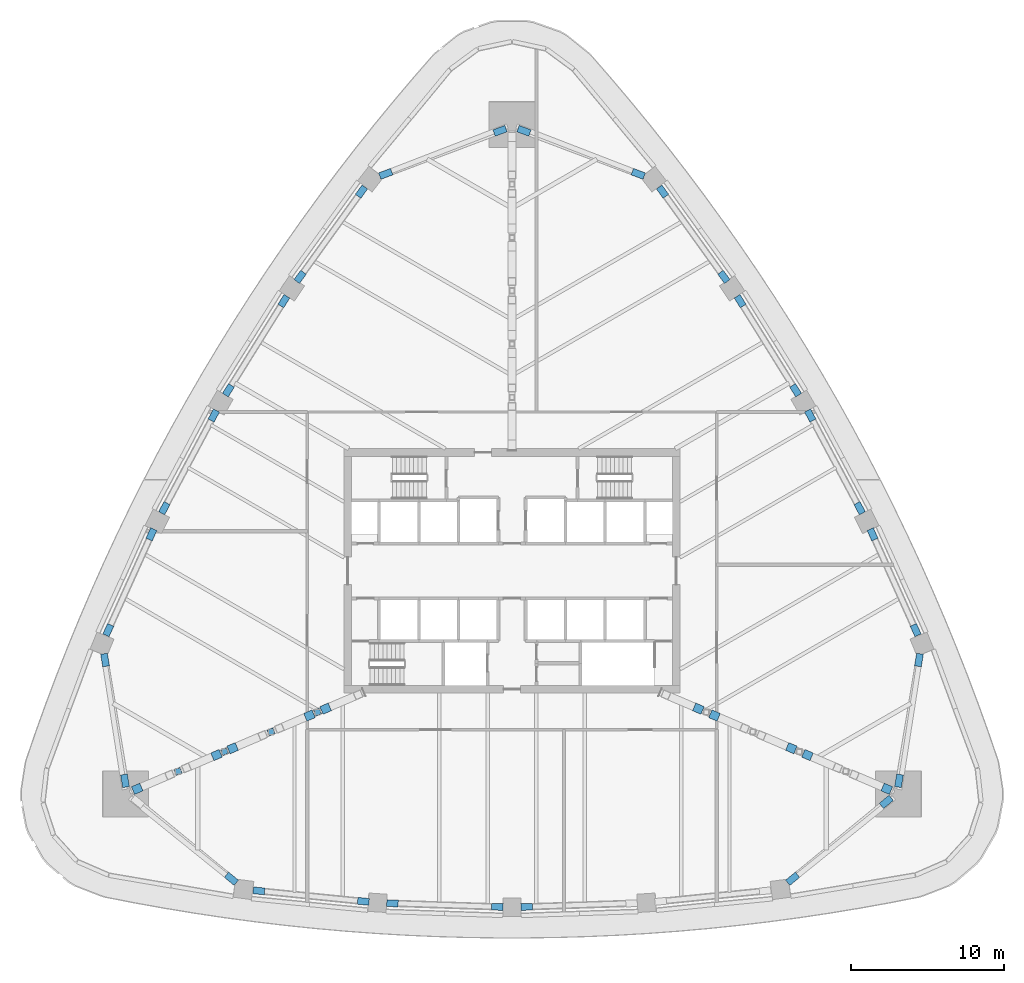
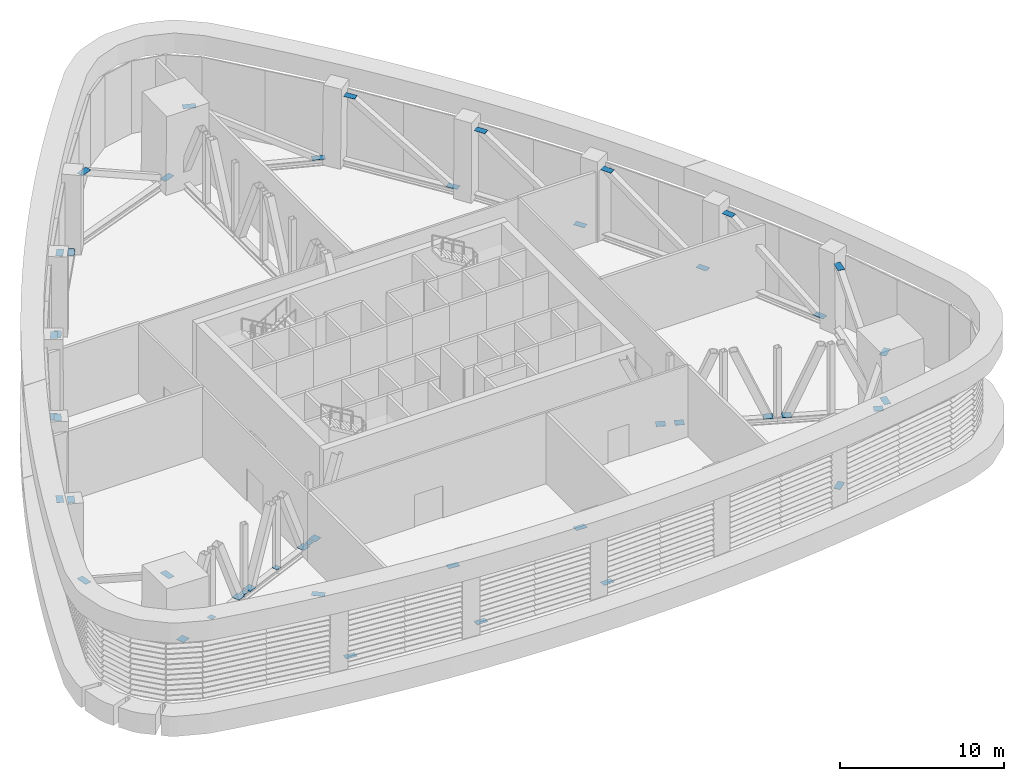
# One storey, part 8 of 18: 46 discrete accessories.
"""IFC4 building model written with IfcOpenShell, lengths in metres."""

from ifc_helpers import new_model, si_unit, direction, frame, origin, origin_2d, place, context, subcontext, project, spatial, rectangle, extrude, material, type_object, element, save


model = new_model("IFC4")

# Units and contexts
model_context = context("Model", 3, precision=1e-05, world=origin(), true_north=direction((0.0, 1.0)))
body_context = subcontext(model_context, "Body", "Model", "MODEL_VIEW")
ifc_project = project(units=[si_unit("LENGTHUNIT", "METRE"), si_unit("AREAUNIT", "SQUARE_METRE"), si_unit("VOLUMEUNIT", "CUBIC_METRE"), si_unit("PLANEANGLEUNIT", "RADIAN"), si_unit("MASSUNIT", "GRAM", prefix="KILO")], contexts=[model_context])

# Site, building, storey
site_placement = place(None, origin())
site = spatial("IfcSite", under=ifc_project, at=site_placement, CompositionType="ELEMENT")
building_placement = place(site_placement, origin())
building = spatial("IfcBuilding", under=site, at=building_placement, Name="Sierra Prisma Convention Tower", CompositionType="ELEMENT")
storey_placement = place(building_placement, frame((0.0, 0.0, 112.60009765625)))
storey = spatial("IfcBuildingStorey", under=building, at=storey_placement, Name="L24", CompositionType="ELEMENT", Elevation=112.60009765625)

# Discrete accessories
ifc_material = material(Name="Steel ASTM A992 Gr 50", Category="steel")
discrete_accessory_type = type_object("IfcDiscreteAccessoryType", Name="Truss end plate", PredefinedType="BRACKET", material=ifc_material)
discrete_accessory_1_placement = place(storey_placement, frame((-18.37646484375, -20.16162109375, 5.21875), z_axis=(0.0, 0.0, 1.0), x_axis=(0.772982771998, -0.634427012504, 0.0)))
element("IfcDiscreteAccessory", 1, at=discrete_accessory_1_placement, inside=storey, type_object=discrete_accessory_type, Name="Belt truss L24-01 diagonal 1 head end plate", PredefinedType="BRACKET", context=body_context, shape_type="SweptSolid", body=[
    extrude(rectangle(XDim=0.826904296875, YDim=0.446044921875, at=origin_2d()), origin(), (0.0, 0.0, 1.0), 0.014892578125),
])
for number, where, z_axis, x_axis, name in (
    (2, (-16.575439453125, -20.95458984375, 0.4580078125), (0.0, 0.0, 1.0), (0.994982672062, -0.100047400251, 0.0), "Belt truss L24-02 diagonal 1 foot end plate"),
    (3, (-9.734375, -21.642333984375, 5.21875), (0.0, 0.0, 1.0), (0.994982672062, -0.100047400251, 0.0), "Belt truss L24-02 diagonal 1 head end plate"),
    (4, (-7.827392578125, -21.77001953125, 0.4580078125), (0.0, 0.0, 1.0), (0.999442492743, -0.033387178663, 0.0), "Belt truss L24-03 diagonal 1 foot end plate"),
    (5, (-0.95556640625, -21.99951171875, 5.21875), (0.0, 0.0, 1.0), (0.999442492743, -0.033387178663, 0.0), "Belt truss L24-03 diagonal 1 head end plate"),
    (6, (0.95556640625, -21.99951171875, 0.4580078125), (0.0, 0.0, 1.0), (0.999442492743, 0.033387178663, 0.0), "Belt truss L24-04 diagonal 1 foot end plate"),
):
    element("IfcDiscreteAccessory", number, at=place(storey_placement, frame(where, z_axis=z_axis, x_axis=x_axis)), inside=storey, type_object=discrete_accessory_type, Name=name, PredefinedType="BRACKET", context=body_context, shape_type="SweptSolid", body=[
        extrude(rectangle(XDim=0.751953125, YDim=0.446044921875, at=origin_2d()), origin(), (0.0, 0.0, 1.0), 0.014892578125),
    ])
for number, where, z_axis, x_axis, name in (
    (7, (18.37646484375, -20.16162109375, 0.4580078125), (0.0, 0.0, 1.0), (0.772982771998, 0.634427012504, 0.0), "Belt truss L24-06 diagonal 1 foot end plate"),
    (8, (24.51123046875, -15.126220703125, 5.21875), (0.0, 0.0, 1.0), (0.772982771998, 0.634427012504, 0.0), "Belt truss L24-06 diagonal 1 head end plate"),
):
    element("IfcDiscreteAccessory", number, at=place(storey_placement, frame(where, z_axis=z_axis, x_axis=x_axis)), inside=storey, type_object=discrete_accessory_type, Name=name, PredefinedType="BRACKET", context=body_context, shape_type="SweptSolid", body=[
        extrude(rectangle(XDim=0.826904296875, YDim=0.446044921875, at=origin_2d()), origin(), (0.0, 0.0, 1.0), 0.014892578125),
    ])
for number, where, z_axis, x_axis, name in (
    (9, (25.342041015625, -13.744384765625, 0.4580078125), (0.0, 0.0, 1.0), (0.162943689689, 0.986635370332, 0.0), "Belt truss L24-07 diagonal 1 foot end plate"),
    (10, (26.648193359375, -5.83642578125, 5.21875), (0.0, 0.0, 1.0), (0.162943689689, 0.986635370332, 0.0), "Belt truss L24-07 diagonal 1 head end plate"),
):
    element("IfcDiscreteAccessory", number, at=place(storey_placement, frame(where, z_axis=z_axis, x_axis=x_axis)), inside=storey, type_object=discrete_accessory_type, Name=name, PredefinedType="BRACKET", context=body_context, shape_type="SweptSolid", body=[
        extrude(rectangle(XDim=0.8330078125, YDim=0.446044921875, at=origin_2d()), origin(), (0.0, 0.0, 1.0), 0.014892578125),
    ])
for number, where, z_axis, x_axis, name in (
    (11, (26.434814453125, -3.87744140625, 0.4580078125), (0.0, 0.0, 1.0), (-0.41086047558, 0.911698233851, 0.0), "Belt truss L24-08 diagonal 1 foot end plate"),
    (12, (23.60986328125, 2.39111328125, 5.21875), (0.0, 0.0, 1.0), (-0.41086047558, 0.911698233851, 0.0), "Belt truss L24-08 diagonal 1 head end plate"),
    (13, (22.766845703125, 4.106201171875, 0.4580078125), (0.0, 0.0, 1.0), (-0.470797862707, 0.882241107901, 0.0), "Belt truss L24-09 diagonal 1 foot end plate"),
    (14, (19.530029296875, 10.172119140625, 5.21875), (0.0, 0.0, 1.0), (-0.470797862707, 0.882241107901, 0.0), "Belt truss L24-09 diagonal 1 head end plate"),
    (15, (18.57421875, 11.827392578125, 0.4580078125), (0.0, 0.0, 1.0), (-0.528644280351, 0.848843463102, 0.0), "Belt truss L24-10 diagonal 1 foot end plate"),
    (16, (14.939697265625, 17.663818359375, 5.21875), (0.0, 0.0, 1.0), (-0.528644280351, 0.848843463102, 0.0), "Belt truss L24-10 diagonal 1 head end plate"),
    (17, (13.87548828125, 19.25146484375, 0.4580078125), (0.0, 0.0, 1.0), (-0.58412359331, 0.811664726188, 0.0), "Belt truss L24-11 diagonal 1 foot end plate"),
    (18, (9.859375, 24.83203125, 5.21875), (0.0, 0.0, 1.0), (-0.58412359331, 0.811664726188, 0.0), "Belt truss L24-11 diagonal 1 head end plate"),
):
    element("IfcDiscreteAccessory", number, at=place(storey_placement, frame(where, z_axis=z_axis, x_axis=x_axis)), inside=storey, type_object=discrete_accessory_type, Name=name, PredefinedType="BRACKET", context=body_context, shape_type="SweptSolid", body=[
        extrude(rectangle(XDim=0.751953125, YDim=0.446044921875, at=origin_2d()), origin(), (0.0, 0.0, 1.0), 0.014892578125),
    ])
for number, where, z_axis, x_axis, name in (
    (19, (8.27001953125, 25.99609375, 0.4580078125), (0.0, 0.0, 1.0), (-0.935923754536, 0.352202677014, 0.0), "Belt truss L24-12 diagonal 1 foot end plate"),
    (20, (0.782958984375, 28.8134765625, 5.21875), (0.0, 0.0, 1.0), (-0.935923754536, 0.352202677014, 0.0), "Belt truss L24-12 diagonal 1 head end plate"),
    (21, (-0.782958984375, 28.8134765625, 0.4580078125), (0.0, 0.0, 1.0), (-0.935923754536, -0.352202677014, 0.0), "Belt truss L24-13 diagonal 1 foot end plate"),
    (22, (-8.27001953125, 25.99609375, 5.21875), (0.0, 0.0, 1.0), (-0.935923754536, -0.352202677014, 0.0), "Belt truss L24-13 diagonal 1 head end plate"),
):
    element("IfcDiscreteAccessory", number, at=place(storey_placement, frame(where, z_axis=z_axis, x_axis=x_axis)), inside=storey, type_object=discrete_accessory_type, Name=name, PredefinedType="BRACKET", context=body_context, shape_type="SweptSolid", body=[
        extrude(rectangle(XDim=0.83203125, YDim=0.446044921875, at=origin_2d()), origin(), (0.0, 0.0, 1.0), 0.014892578125),
    ])
for number, where, z_axis, x_axis, name in (
    (23, (-9.859375, 24.83203125, 0.4580078125), (0.0, 0.0, 1.0), (-0.58412359331, -0.811664726188, 0.0), "Belt truss L24-14 diagonal 1 foot end plate"),
    (24, (-13.87548828125, 19.25146484375, 5.21875), (0.0, 0.0, 1.0), (-0.58412359331, -0.811664726188, 0.0), "Belt truss L24-14 diagonal 1 head end plate"),
    (25, (-14.939697265625, 17.663818359375, 0.4580078125), (0.0, 0.0, 1.0), (-0.528644280351, -0.848843463102, 0.0), "Belt truss L24-15 diagonal 1 foot end plate"),
    (26, (-18.57421875, 11.827392578125, 5.21875), (0.0, 0.0, 1.0), (-0.528644280351, -0.848843463102, 0.0), "Belt truss L24-15 diagonal 1 head end plate"),
    (27, (-19.530029296875, 10.172119140625, 0.4580078125), (0.0, 0.0, 1.0), (-0.470797862707, -0.882241107901, 0.0), "Belt truss L24-16 diagonal 1 foot end plate"),
    (28, (-22.766845703125, 4.106201171875, 5.21875), (0.0, 0.0, 1.0), (-0.470797862707, -0.882241107901, 0.0), "Belt truss L24-16 diagonal 1 head end plate"),
    (29, (-23.60986328125, 2.39111328125, 0.4580078125), (0.0, 0.0, 1.0), (-0.41086047558, -0.911698233851, 0.0), "Belt truss L24-17 diagonal 1 foot end plate"),
    (30, (-26.434814453125, -3.87744140625, 5.21875), (0.0, 0.0, 1.0), (-0.41086047558, -0.911698233851, 0.0), "Belt truss L24-17 diagonal 1 head end plate"),
):
    element("IfcDiscreteAccessory", number, at=place(storey_placement, frame(where, z_axis=z_axis, x_axis=x_axis)), inside=storey, type_object=discrete_accessory_type, Name=name, PredefinedType="BRACKET", context=body_context, shape_type="SweptSolid", body=[
        extrude(rectangle(XDim=0.751953125, YDim=0.446044921875, at=origin_2d()), origin(), (0.0, 0.0, 1.0), 0.014892578125),
    ])
for number, where, z_axis, x_axis, name in (
    (31, (-26.648193359375, -5.83642578125, 0.4580078125), (0.0, 0.0, 1.0), (0.162943689689, -0.986635370332, 0.0), "Belt truss L24-18 diagonal 1 foot end plate"),
    (32, (-25.342041015625, -13.744384765625, 5.21875), (0.0, 0.0, 1.0), (0.162943689689, -0.986635370332, 0.0), "Belt truss L24-18 diagonal 1 head end plate"),
):
    element("IfcDiscreteAccessory", number, at=place(storey_placement, frame(where, z_axis=z_axis, x_axis=x_axis)), inside=storey, type_object=discrete_accessory_type, Name=name, PredefinedType="BRACKET", context=body_context, shape_type="SweptSolid", body=[
        extrude(rectangle(XDim=0.8330078125, YDim=0.446044921875, at=origin_2d()), origin(), (0.0, 0.0, 1.0), 0.014892578125),
    ])
discrete_accessory_2_placement = place(storey_placement, frame((24.54150390625, -14.2705078125, 0.4580078125), z_axis=(0.0, 0.0, 1.0), x_axis=(-0.920212720142, 0.391418637382, 0.0)))
element("IfcDiscreteAccessory", 33, at=discrete_accessory_2_placement, inside=storey, type_object=discrete_accessory_type, Name="Outrigger truss L24 SE diagonal 1 foot end plate", PredefinedType="BRACKET", context=body_context, shape_type="SweptSolid", body=[
    extrude(rectangle(XDim=0.596923828125, YDim=0.548095703125, at=origin_2d()), origin(), (0.0, 0.0, 1.0), 0.014892578125),
])
for number, where, z_axis, x_axis, name in (
    (34, (19.348388671875, -12.0615234375, 0.4580078125), (0.0, 0.0, 1.0), (-0.920212720142, 0.391418637382, 0.0), "Outrigger truss L24 SE diagonal 2 foot end plate"),
    (35, (18.293212890625, -11.61279296875, 0.4580078125), (0.0, 0.0, 1.0), (-0.920212720142, 0.391418637382, 0.0), "Outrigger truss L24 SE diagonal 3 foot end plate"),
    (36, (13.260986328125, -9.47216796875, 0.4580078125), (0.0, 0.0, 1.0), (-0.920212720142, 0.391418637382, 0.0), "Outrigger truss L24 SE diagonal 4 foot end plate"),
):
    element("IfcDiscreteAccessory", number, at=place(storey_placement, frame(where, z_axis=z_axis, x_axis=x_axis)), inside=storey, type_object=discrete_accessory_type, Name=name, PredefinedType="BRACKET", context=body_context, shape_type="SweptSolid", body=[
        extrude(rectangle(XDim=0.591064453125, YDim=0.548095703125, at=origin_2d()), origin(), (0.0, 0.0, 1.0), 0.014892578125),
    ])
for number, where, z_axis, x_axis, name in (
    (37, (12.20263671875, -9.02197265625, 0.4580078125), (0.0, 0.0, 1.0), (-0.920212720142, 0.391418637382, 0.0), "Outrigger truss L24 SE diagonal 5 foot end plate"),
    (38, (-24.54150390625, -14.2705078125, 0.4580078125), (0.0, 0.0, 1.0), (0.920212720142, 0.391418637382, 0.0), "Outrigger truss L24 SW diagonal 1 foot end plate"),
):
    element("IfcDiscreteAccessory", number, at=place(storey_placement, frame(where, z_axis=z_axis, x_axis=x_axis)), inside=storey, type_object=discrete_accessory_type, Name=name, PredefinedType="BRACKET", context=body_context, shape_type="SweptSolid", body=[
        extrude(rectangle(XDim=0.596923828125, YDim=0.548095703125, at=origin_2d()), origin(), (0.0, 0.0, 1.0), 0.014892578125),
    ])
for number, where, z_axis, x_axis, name in (
    (39, (-19.348388671875, -12.0615234375, 0.4580078125), (0.0, 0.0, 1.0), (0.920212720142, 0.391418637382, 0.0), "Outrigger truss L24 SW diagonal 2 foot end plate"),
    (40, (-18.293212890625, -11.61279296875, 0.4580078125), (0.0, 0.0, 1.0), (0.920212720142, 0.391418637382, 0.0), "Outrigger truss L24 SW diagonal 3 foot end plate"),
    (41, (-13.260986328125, -9.47216796875, 0.4580078125), (0.0, 0.0, 1.0), (0.920212720142, 0.391418637382, 0.0), "Outrigger truss L24 SW diagonal 4 foot end plate"),
):
    element("IfcDiscreteAccessory", number, at=place(storey_placement, frame(where, z_axis=z_axis, x_axis=x_axis)), inside=storey, type_object=discrete_accessory_type, Name=name, PredefinedType="BRACKET", context=body_context, shape_type="SweptSolid", body=[
        extrude(rectangle(XDim=0.591064453125, YDim=0.548095703125, at=origin_2d()), origin(), (0.0, 0.0, 1.0), 0.014892578125),
    ])
discrete_accessory_3_placement = place(storey_placement, frame((-12.20263671875, -9.02197265625, 0.4580078125), z_axis=(0.0, 0.0, 1.0), x_axis=(0.920212720142, 0.391418637382, 0.0)))
element("IfcDiscreteAccessory", 42, at=discrete_accessory_3_placement, inside=storey, type_object=discrete_accessory_type, Name="Outrigger truss L24 SW diagonal 5 foot end plate", PredefinedType="BRACKET", context=body_context, shape_type="SweptSolid", body=[
    extrude(rectangle(XDim=0.596923828125, YDim=0.548095703125, at=origin_2d()), origin(), (0.0, 0.0, 1.0), 0.014892578125),
])
for number, where, z_axis, x_axis, name in (
    (43, (-21.86474609375, -13.1318359375, 0.4580078125), (0.0, 0.0, 1.0), (0.920212720142, 0.391418637382, 0.0), "Outrigger truss L24 SW post 1 end plate"),
    (44, (-18.82080078125, -11.837158203125, 0.4580078125), (0.0, 0.0, 1.0), (0.920212720142, 0.391418637382, 0.0), "Outrigger truss L24 SW post 2 end plate"),
    (45, (-15.777099609375, -10.54248046875, 0.4580078125), (0.0, 0.0, 1.0), (0.920212720142, 0.391418637382, 0.0), "Outrigger truss L24 SW post 3 end plate"),
    (46, (-12.7333984375, -9.247802734375, 0.4580078125), (0.0, 0.0, 1.0), (0.920212720142, 0.391418637382, 0.0), "Outrigger truss L24 SW post 4 end plate"),
):
    element("IfcDiscreteAccessory", number, at=place(storey_placement, frame(where, z_axis=z_axis, x_axis=x_axis)), inside=storey, type_object=discrete_accessory_type, Name=name, PredefinedType="BRACKET", context=body_context, shape_type="SweptSolid", body=[
        extrude(rectangle(XDim=0.39599609375, YDim=0.39599609375, at=origin_2d()), origin(), (0.0, 0.0, 1.0), 0.014892578125),
    ])

save(model, "model.ifc")
